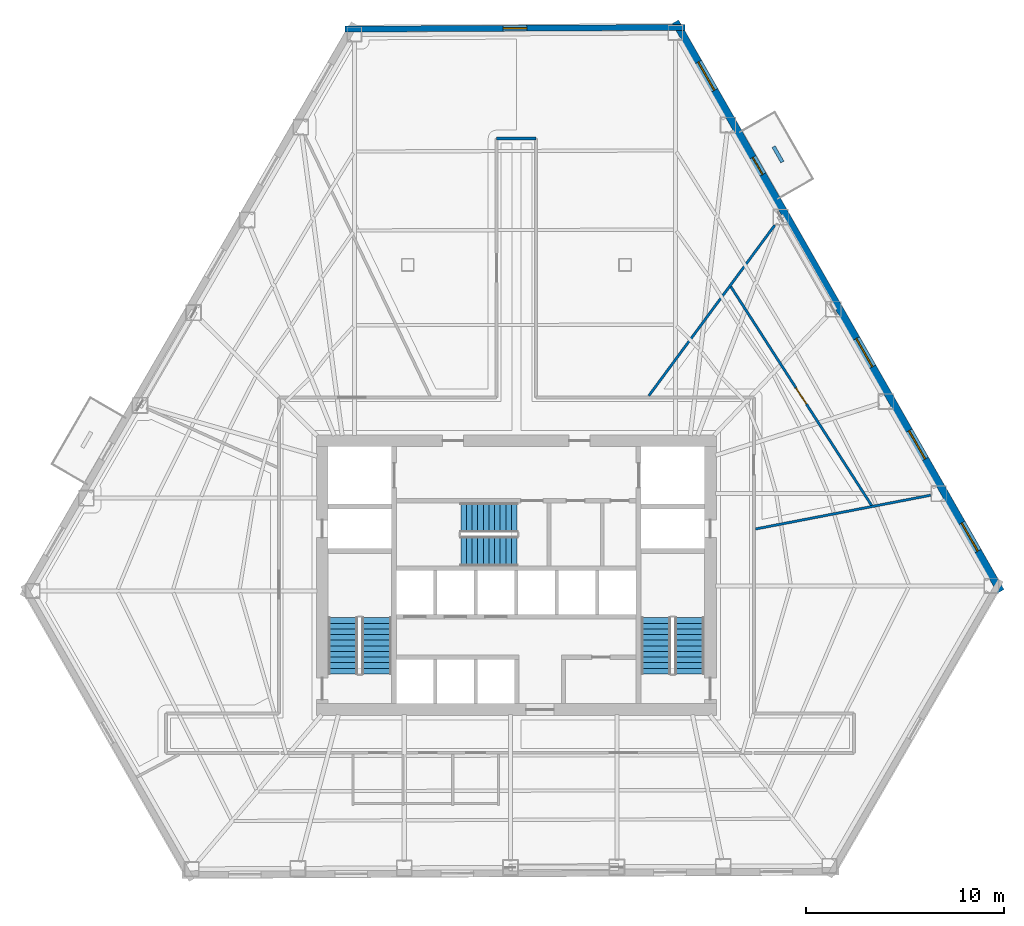
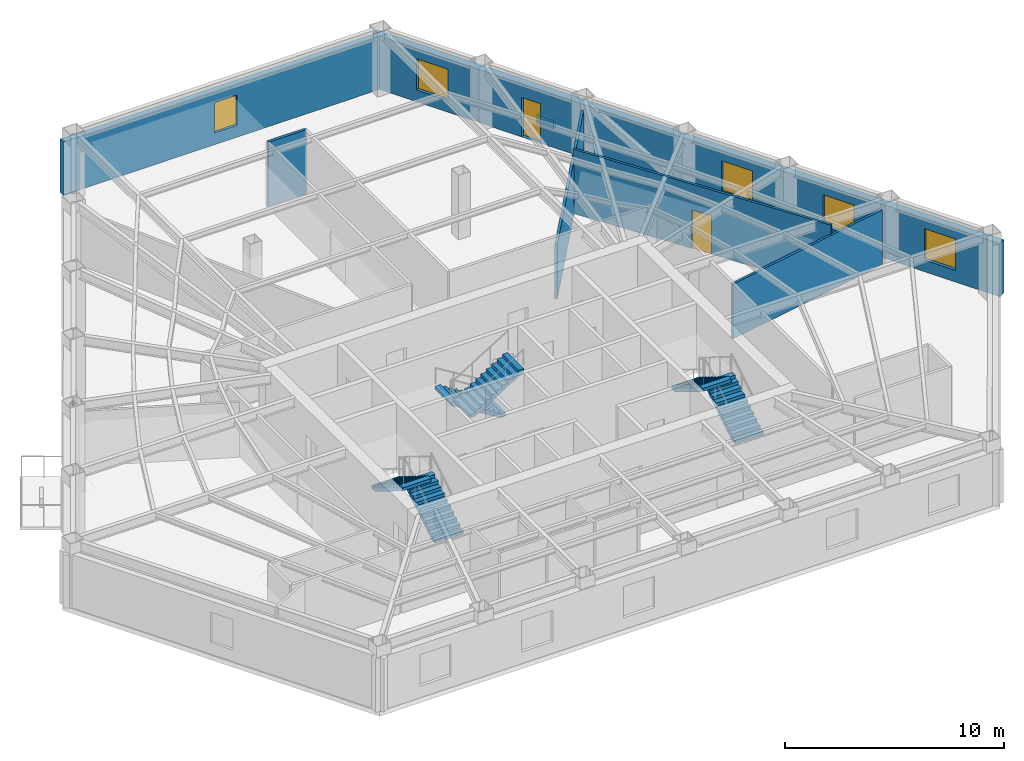
# One storey, part 8 of 11: 7 walls, 6 stair flights, 5 windows, 2 doors, 7 openings, 3 elements without a shape of their own.
"""IFC4 building model written with IfcOpenShell, lengths in metres."""

from ifc_helpers import new_model, si_unit, direction, frame, frame_2d, origin, place, context, subcontext, project, spatial, polyline, rectangle, outline, extrude, material, layer, layer_set, type_object, element, fill, aggregate, save


model = new_model("IFC4")

# Units and contexts
model_context = context("Model", 3, precision=1e-05, world=origin(), true_north=direction((0.0, 1.0)))
body_context = subcontext(model_context, "Body", "Model", "MODEL_VIEW")
ifc_project = project(units=[si_unit("LENGTHUNIT", "METRE"), si_unit("AREAUNIT", "SQUARE_METRE"), si_unit("VOLUMEUNIT", "CUBIC_METRE"), si_unit("PLANEANGLEUNIT", "RADIAN"), si_unit("MASSUNIT", "GRAM", prefix="KILO")], contexts=[model_context])

# Site, building, storey
site_placement = place(None, origin())
site = spatial("IfcSite", under=ifc_project, at=site_placement, CompositionType="ELEMENT")
building_placement = place(site_placement, origin())
building = spatial("IfcBuilding", under=site, at=building_placement, Name="Kavelnor Concourse Tower", CompositionType="ELEMENT")
storey_placement = place(building_placement, frame((0.0, 0.0, 9.85009765625)))
storey = spatial("IfcBuildingStorey", under=building, at=storey_placement, Name="L02", CompositionType="ELEMENT", Elevation=9.85009765625)

# Wall, opening, window
ifc_material_1 = material(Name="Buff ironspot clay face brick masonry", Category="masonry")
ifc_layer_1 = layer(ifc_material_1, 0.300048828125, Name="Buff ironspot clay face brick masonry")
ifc_layer_set_1 = layer_set([ifc_layer_1], Name="Buff ironspot clay face brick masonry")
wall_type_1 = type_object("IfcWallType", Name="WL-EXT-BUFF-BRICK-FOLD-300", PredefinedType="STANDARD", material=ifc_layer_set_1)
wall_1_placement = place(storey_placement, frame((29.326904296875, 43.736083984375, 0.0), z_axis=(0.0, 0.0, 1.0), x_axis=(0.999986871538, 0.005124134289, 0.0)))
wall_1 = element("IfcWall", 1, at=wall_1_placement, inside=storey, type_object=wall_type_1, Name="L02 Exterior Brick Facade Wall E0", PredefinedType="STANDARD", context=body_context, shape_type="SweptSolid", body=[
    extrude(rectangle(XDim=17.199951171875, YDim=0.300048828125, at=frame_2d((8.60009765625, 0.0))), origin(), (0.0, 0.0, 1.0), 2.969970703125),
])
opening_1_placement = place(wall_1_placement, frame((8.0, 0.0, 0.64990234375)))
opening_1 = element("IfcOpeningElement", 2, at=opening_1_placement, cuts=wall_1, Name="Opening W-05", PredefinedType="OPENING", context=body_context, shape_type="SweptSolid", body=[
    extrude(rectangle(XDim=1.199951171875, YDim=1.699951171875, at=frame_2d((0.60009765625, 0.85009765625))), frame((0.0, 0.16015625, 0.0), z_axis=(0.0, -1.0, 0.0), x_axis=(1.0, 0.0, 0.0)), (0.0, 0.0, 1.0), 0.320068359375),
])
ifc_material_2 = material(Name="Double low-E argon insulated glazing", Category="glass")
window_type_1 = type_object("IfcWindowType", Name="WIN-FOLD-1200", PartitioningType="SINGLE_PANEL", PredefinedType="WINDOW", material=ifc_material_2)
window_1_placement = place(opening_1_placement, origin())
window_1 = element("IfcWindow", 3, at=window_1_placement, inside=storey, type_object=window_type_1, Name="L02 Chamfer-Fold Facet Window C0", OverallHeight=1.699951171875, OverallWidth=1.199951171875, PartitioningType="SINGLE_PANEL", PredefinedType="WINDOW", context=body_context, shape_type="SweptSolid", body=[
    extrude(rectangle(XDim=1.199951171875, YDim=1.699951171875, at=frame_2d((0.60009765625, 0.85009765625))), frame((0.0, 0.030029296875, 0.0), z_axis=(0.0, -1.0, 0.0), x_axis=(1.0, 0.0, 0.0)), (0.0, 0.0, 1.0), 0.06005859375),
])
fill(opening_1, window_1)

# Wall, openings, door, windows
ifc_material_3 = material(Name="Red-ochre clay face brick masonry", Category="masonry")
ifc_layer_2 = layer(ifc_material_3, 0.3798828125, Name="Red-ochre clay face brick masonry")
ifc_layer_set_2 = layer_set([ifc_layer_2], Name="Red-ochre clay face brick masonry")
wall_type_2 = type_object("IfcWallType", Name="WL-EXT-RED-BRICK-PIER-380", PredefinedType="STANDARD", material=ifc_layer_set_2)
wall_2_placement = place(storey_placement, frame((46.043701171875, 44.1025390625, 0.0), z_axis=(0.0, 0.0, 1.0), x_axis=(0.496189626602, -0.86821417545, 0.0)))
wall_2 = element("IfcWall", 4, at=wall_2_placement, inside=storey, type_object=wall_type_2, Name="L02 Exterior Brick Facade Wall E5", PredefinedType="STANDARD", context=body_context, shape_type="SweptSolid", body=[
    extrude(rectangle(XDim=33.1962890625, YDim=0.3798828125, at=frame_2d((16.59814453125, 0.0))), origin(), (0.0, 0.0, 1.0), 2.969970703125),
])
opening_2_placement = place(wall_2_placement, frame((7.899169921875, 0.0, 0.0)))
opening_2 = element("IfcOpeningElement", 5, at=opening_2_placement, cuts=wall_2, Name="Opening BD-100", PredefinedType="OPENING", context=body_context, shape_type="SweptSolid", body=[
    extrude(rectangle(XDim=1.0, YDim=2.199951171875, at=frame_2d((0.5, 1.10009765625))), frame((0.0, 0.199951171875, 0.0), z_axis=(0.0, -1.0, 0.0), x_axis=(1.0, 0.0, 0.0)), (0.0, 0.0, 1.0), 0.39990234375),
])
opening_3_placement = place(wall_2_placement, frame((29.208740234375, 0.0, 0.64990234375)))
opening_3 = element("IfcOpeningElement", 6, at=opening_3_placement, cuts=wall_2, Name="Opening W-01", PredefinedType="OPENING", context=body_context, shape_type="SweptSolid", body=[
    extrude(rectangle(XDim=1.64990234375, YDim=1.75, at=frame_2d((0.824951171875, 0.875))), frame((0.0, 0.199951171875, 0.0), z_axis=(0.0, -1.0, 0.0), x_axis=(1.0, 0.0, 0.0)), (0.0, 0.0, 1.0), 0.39990234375),
])
opening_4_placement = place(wall_2_placement, frame((23.83544921875, 0.0, 0.64990234375)))
opening_4 = element("IfcOpeningElement", 7, at=opening_4_placement, cuts=wall_2, Name="Opening W-01", PredefinedType="OPENING", context=body_context, shape_type="SweptSolid", body=[
    extrude(rectangle(XDim=1.64990234375, YDim=1.75, at=frame_2d((0.824951171875, 0.875))), frame((0.0, 0.199951171875, 0.0), z_axis=(0.0, -1.0, 0.0), x_axis=(1.0, 0.0, 0.0)), (0.0, 0.0, 1.0), 0.39990234375),
])
opening_5_placement = place(wall_2_placement, frame((18.4619140625, 0.0, 0.64990234375)))
opening_5 = element("IfcOpeningElement", 8, at=opening_5_placement, cuts=wall_2, Name="Opening W-01", PredefinedType="OPENING", context=body_context, shape_type="SweptSolid", body=[
    extrude(rectangle(XDim=1.64990234375, YDim=1.75, at=frame_2d((0.824951171875, 0.875))), frame((0.0, 0.199951171875, 0.0), z_axis=(0.0, -1.0, 0.0), x_axis=(1.0, 0.0, 0.0)), (0.0, 0.0, 1.0), 0.39990234375),
])
opening_6_placement = place(wall_2_placement, frame((2.341796875, 0.0, 0.64990234375)))
opening_6 = element("IfcOpeningElement", 9, at=opening_6_placement, cuts=wall_2, Name="Opening W-01", PredefinedType="OPENING", context=body_context, shape_type="SweptSolid", body=[
    extrude(rectangle(XDim=1.64990234375, YDim=1.75, at=frame_2d((0.824951171875, 0.875))), frame((0.0, 0.199951171875, 0.0), z_axis=(0.0, -1.0, 0.0), x_axis=(1.0, 0.0, 0.0)), (0.0, 0.0, 1.0), 0.39990234375),
])
ifc_material_4 = material(Name="Anodised aluminium 6063-T6", Category="aluminium")
door_type_1 = type_object("IfcDoorType", Name="DR-BALCONY-EXT-1000", OperationType="NOTDEFINED", PredefinedType="DOOR", material=ifc_material_4)
door_1_placement = place(opening_2_placement, origin())
door_1 = element("IfcDoor", 10, at=door_1_placement, inside=storey, type_object=door_type_1, Name="L02 Tree Balcony 1 Glazed Door", OperationType="SINGLE_SWING_LEFT", OverallHeight=2.199951171875, OverallWidth=1.0, PredefinedType="DOOR", context=body_context, shape_type="SweptSolid", body=[
    extrude(rectangle(XDim=1.0, YDim=2.199951171875, at=frame_2d((0.5, 1.10009765625))), frame((0.0, 0.02490234375, 0.0), z_axis=(0.0, -1.0, 0.0), x_axis=(1.0, 0.0, 0.0)), (0.0, 0.0, 1.0), 0.050048828125),
])
fill(opening_2, door_1)
window_type_2 = type_object("IfcWindowType", Name="WIN-PIER-Z1-1800", PartitioningType="SINGLE_PANEL", PredefinedType="WINDOW", material=ifc_material_2)
window_2_placement = place(opening_3_placement, origin())
window_2 = element("IfcWindow", 11, at=window_2_placement, inside=storey, type_object=window_type_2, Name="L02 Deep-Set Brick Pier Window F2-B0", OverallHeight=1.75, OverallWidth=1.64990234375, PartitioningType="SINGLE_PANEL", PredefinedType="WINDOW", context=body_context, shape_type="SweptSolid", body=[
    extrude(rectangle(XDim=1.64990234375, YDim=1.75, at=frame_2d((0.824951171875, 0.875))), frame((0.0, 0.030029296875, 0.0), z_axis=(0.0, -1.0, 0.0), x_axis=(1.0, 0.0, 0.0)), (0.0, 0.0, 1.0), 0.06005859375),
])
fill(opening_3, window_2)
window_3_placement = place(opening_4_placement, origin())
window_3 = element("IfcWindow", 12, at=window_3_placement, inside=storey, type_object=window_type_2, Name="L02 Deep-Set Brick Pier Window F2-B1", OverallHeight=1.75, OverallWidth=1.64990234375, PartitioningType="SINGLE_PANEL", PredefinedType="WINDOW", context=body_context, shape_type="SweptSolid", body=[
    extrude(rectangle(XDim=1.64990234375, YDim=1.75, at=frame_2d((0.824951171875, 0.875))), frame((0.0, 0.030029296875, 0.0), z_axis=(0.0, -1.0, 0.0), x_axis=(1.0, 0.0, 0.0)), (0.0, 0.0, 1.0), 0.06005859375),
])
fill(opening_4, window_3)
window_4_placement = place(opening_5_placement, origin())
window_4 = element("IfcWindow", 13, at=window_4_placement, inside=storey, type_object=window_type_2, Name="L02 Deep-Set Brick Pier Window F2-B2", OverallHeight=1.75, OverallWidth=1.64990234375, PartitioningType="SINGLE_PANEL", PredefinedType="WINDOW", context=body_context, shape_type="SweptSolid", body=[
    extrude(rectangle(XDim=1.64990234375, YDim=1.75, at=frame_2d((0.824951171875, 0.875))), frame((0.0, 0.030029296875, 0.0), z_axis=(0.0, -1.0, 0.0), x_axis=(1.0, 0.0, 0.0)), (0.0, 0.0, 1.0), 0.06005859375),
])
fill(opening_5, window_4)
window_5_placement = place(opening_6_placement, origin())
window_5 = element("IfcWindow", 14, at=window_5_placement, inside=storey, type_object=window_type_2, Name="L02 Deep-Set Brick Pier Window F2-B5", OverallHeight=1.75, OverallWidth=1.64990234375, PartitioningType="SINGLE_PANEL", PredefinedType="WINDOW", context=body_context, shape_type="SweptSolid", body=[
    extrude(rectangle(XDim=1.64990234375, YDim=1.75, at=frame_2d((0.824951171875, 0.875))), frame((0.0, 0.030029296875, 0.0), z_axis=(0.0, -1.0, 0.0), x_axis=(1.0, 0.0, 0.0)), (0.0, 0.0, 1.0), 0.06005859375),
])
fill(opening_6, window_5)

# Walls
ifc_material_5 = material(Name="Gypsum plasterboard on light-gauge steel studs", Category="steel")
ifc_layer_3 = layer(ifc_material_5, 0.14501953125, Name="Gypsum plasterboard on light-gauge steel studs")
ifc_layer_set_3 = layer_set([ifc_layer_3], Name="Gypsum plasterboard on light-gauge steel studs")
wall_type_3 = type_object("IfcWallType", Name="WL-INT-CORR-145", PredefinedType="PARTITIONING", material=ifc_layer_set_3)
wall_3_placement = place(storey_placement, frame((37.0, 38.199951171875, 0.0), z_axis=(0.0, 0.0, 1.0), x_axis=(1.0, 0.0, 0.0)))
element("IfcWall", 15, at=wall_3_placement, inside=storey, type_object=wall_type_3, Name="L02 Corridor Wall WL-L02-CR-05", PredefinedType="PARTITIONING", context=body_context, shape_type="SweptSolid", body=[
    extrude(rectangle(XDim=2.0, YDim=0.14501953125, at=frame_2d((1.0, 0.0))), origin(), (0.0, 0.0, 1.0), 3.58984375),
])
ifc_layer_4 = layer(ifc_material_5, 0.125, Name="Gypsum plasterboard on light-gauge steel studs")
ifc_layer_set_4 = layer_set([ifc_layer_4], Name="Gypsum plasterboard on light-gauge steel studs")
wall_type_4 = type_object("IfcWallType", Name="WL-INT-SUITE-125", PredefinedType="PARTITIONING", material=ifc_layer_set_4)
wall_4_placement = place(storey_placement, frame((50.1005859375, 18.43505859375, 0.0), z_axis=(0.0, 0.0, 1.0), x_axis=(0.98189060445, 0.189448781713, 0.0)))
element("IfcWall", 16, at=wall_4_placement, inside=storey, type_object=wall_type_4, Name="L02 Radial Suite Partition 01", PredefinedType="PARTITIONING", context=body_context, shape_type="SweptSolid", body=[
    extrude(rectangle(XDim=9.03369140625, YDim=0.125, at=frame_2d((4.516845703125, 0.0))), origin(), (0.0, 0.0, 1.0), 3.056884765625),
])
wall_5_placement = place(storey_placement, frame((44.704833984375, 25.180419921875, 0.0), z_axis=(0.0, 0.0, 1.0), x_axis=(0.593984136355, 0.804476752777, 0.0)))
element("IfcWall", 17, at=wall_5_placement, inside=storey, type_object=wall_type_4, Name="L02 Radial Suite Partition 02", PredefinedType="PARTITIONING", context=body_context, shape_type="SweptSolid", body=[
    extrude(rectangle(XDim=10.73095703125, YDim=0.125, at=frame_2d((5.365478515625, 0.0))), origin(), (0.0, 0.0, 1.0), 3.056884765625),
])

# Wall, opening, door
wall_6_placement = place(storey_placement, frame((56.004638671875, 19.589599609375, 0.0), z_axis=(0.0, 0.0, 1.0), x_axis=(-0.541141843648, 0.840931331949, 0.0)))
wall_6 = element("IfcWall", 18, at=wall_6_placement, inside=storey, type_object=wall_type_4, Name="L02 Suite Subdivision Partition 01", PredefinedType="PARTITIONING", context=body_context, shape_type="SweptSolid", body=[
    extrude(rectangle(XDim=13.260498046875, YDim=0.125, at=frame_2d((6.63037109375, 0.0))), origin(), (0.0, 0.0, 1.0), 3.58984375),
])
opening_7_placement = place(wall_6_placement, frame((6.14111328125, 0.0, 0.0)))
opening_7 = element("IfcOpeningElement", 19, at=opening_7_placement, cuts=wall_6, Name="Opening OD-098", PredefinedType="OPENING", context=body_context, shape_type="SweptSolid", body=[
    extrude(rectangle(XDim=0.97998046875, YDim=2.14990234375, at=frame_2d((0.489990234375, 1.074951171875))), frame((0.0, 0.072509765625, 0.0), z_axis=(0.0, -1.0, 0.0), x_axis=(1.0, 0.0, 0.0)), (0.0, 0.0, 1.0), 0.14501953125),
])
ifc_material_6 = material(Name="Solid-core hardwood timber", Category="wood")
door_type_2 = type_object("IfcDoorType", Name="DR-OFFICE-980", OperationType="NOTDEFINED", PredefinedType="DOOR", material=ifc_material_6)
door_2_placement = place(opening_7_placement, origin())
door_2 = element("IfcDoor", 20, at=door_2_placement, inside=storey, type_object=door_type_2, Name="L02 Staff Breakout Pantry 02 Door", OperationType="SINGLE_SWING_LEFT", OverallHeight=2.14990234375, OverallWidth=0.97998046875, PredefinedType="DOOR", context=body_context, shape_type="SweptSolid", body=[
    extrude(rectangle(XDim=0.97998046875, YDim=2.14990234375, at=frame_2d((0.489990234375, 1.074951171875))), frame((0.0, 0.02490234375, 0.0), z_axis=(0.0, -1.0, 0.0), x_axis=(1.0, 0.0, 0.0)), (0.0, 0.0, 1.0), 0.050048828125),
])
fill(opening_7, door_2)

# Wall
ifc_material_7 = material(Name="Architectural precast planter concrete C40/50", Category="concrete")
ifc_layer_5 = layer(ifc_material_7, 0.18994140625, Name="Architectural precast planter concrete C40/50")
ifc_layer_set_5 = layer_set([ifc_layer_5], Name="Architectural precast planter concrete C40/50")
wall_type_5 = type_object("IfcWallType", Name="WL-PLANTER-KERB-190", PredefinedType="USERDEFINED", material=ifc_layer_set_5)
wall_7_placement = place(storey_placement, frame((51.46337890625, 37.007568359375, 0.0), z_axis=(0.0, 0.0, 1.0), x_axis=(-0.496109726922, 0.868259833721, 0.0)))
element("IfcWall", 21, at=wall_7_placement, inside=storey, type_object=wall_type_5, Name="L02 Tree Balcony 1 Tree Planter Kerb", ObjectType="PLANTER", PredefinedType="USERDEFINED", context=body_context, shape_type="SweptSolid", body=[
    extrude(rectangle(XDim=0.900146484375, YDim=0.18994140625, at=frame_2d((0.4501953125, 0.0))), origin(), (0.0, 0.0, 1.0), 0.5),
])

# Stair, stair flights
ifc_material_8 = material(Name="Concrete C40/50", Category="concrete")
stair_type = type_object("IfcStairType", Name="STR-CORE-1500", PredefinedType="HALF_TURN_STAIR", material=ifc_material_8)
stair_1_placement = place(storey_placement, origin())
stair_1 = element("IfcStair", 22, at=stair_1_placement, inside=storey, type_object=stair_type, Name="L02 ST1", PredefinedType="HALF_TURN_STAIR")
stair_flight_type = type_object("IfcStairFlightType", Name="STR-FLIGHT-1500", PredefinedType="STRAIGHT", material=ifc_material_8)
stair_flight_1_placement = place(storey_placement, frame((30.929931640625, 11.10009765625, 0.0), z_axis=(0.0, 0.0, 1.0), x_axis=(0.0, 1.0, 0.0)))
stair_flight_1 = element("IfcStairFlight", 23, at=stair_flight_1_placement, type_object=stair_flight_type, Name="ST1 flight 1", NumberOfRisers=11, NumberOfTreads=10, PredefinedType="STRAIGHT", RiserHeight=0.175, TreadLength=0.285, context=body_context, shape_type="SweptSolid", body=[
    extrude(outline(polyline([(0.0, 0.0), (0.0, 0.175048828125), (0.284912109375, 0.175048828125), (0.284912109375, 0.35009765625), (0.570068359375, 0.35009765625), (0.570068359375, 0.52490234375), (0.85498046875, 0.52490234375), (0.85498046875, 0.699951171875), (1.139892578125, 0.699951171875), (1.139892578125, 0.875), (1.425048828125, 0.875), (1.425048828125, 1.050048828125), (1.7099609375, 1.050048828125), (1.7099609375, 1.22509765625), (1.9951171875, 1.22509765625), (1.9951171875, 1.39990234375), (2.280029296875, 1.39990234375), (2.280029296875, 1.574951171875), (2.56494140625, 1.574951171875), (2.56494140625, 1.75), (2.85009765625, 1.75), (2.85009765625, 1.925048828125), (2.85009765625, 1.573974609375), (0.286376953125, 0.0), (0.0, 0.0)])), frame((0.0, 0.75, 0.0), z_axis=(0.0, -1.0, 0.0), x_axis=(1.0, 0.0, 0.0)), (0.0, 0.0, 1.0), 1.5),
])
stair_flight_2_placement = place(storey_placement, frame((29.22998046875, 13.949951171875, 1.9248046875), z_axis=(0.0, 0.0, 1.0), x_axis=(0.0, -1.0, 0.0)))
stair_flight_2 = element("IfcStairFlight", 24, at=stair_flight_2_placement, type_object=stair_flight_type, Name="ST1 flight 2", NumberOfRisers=11, NumberOfTreads=10, PredefinedType="STRAIGHT", RiserHeight=0.175, TreadLength=0.285, context=body_context, shape_type="SweptSolid", body=[
    extrude(outline(polyline([(0.0, 0.0), (0.0, 0.175048828125), (0.284912109375, 0.175048828125), (0.284912109375, 0.35009765625), (0.570068359375, 0.35009765625), (0.570068359375, 0.52490234375), (0.85498046875, 0.52490234375), (0.85498046875, 0.699951171875), (1.139892578125, 0.699951171875), (1.139892578125, 0.875), (1.425048828125, 0.875), (1.425048828125, 1.050048828125), (1.7099609375, 1.050048828125), (1.7099609375, 1.22509765625), (1.9951171875, 1.22509765625), (1.9951171875, 1.39990234375), (2.280029296875, 1.39990234375), (2.280029296875, 1.574951171875), (2.56494140625, 1.574951171875), (2.56494140625, 1.75), (2.85009765625, 1.75), (2.85009765625, 1.925048828125), (2.85009765625, 1.573974609375), (0.286376953125, 0.0), (0.0, 0.0)])), frame((0.0, 0.75, 0.0), z_axis=(0.0, -1.0, 0.0), x_axis=(1.0, 0.0, 0.0)), (0.0, 0.0, 1.0), 1.5),
])
aggregate(stair_1, [stair_flight_1, stair_flight_2])

stair_2_placement = place(storey_placement, origin())
stair_2 = element("IfcStair", 25, at=stair_2_placement, inside=storey, type_object=stair_type, Name="L02 ST2", PredefinedType="HALF_TURN_STAIR")
stair_flight_3_placement = place(storey_placement, frame((46.77001953125, 11.10009765625, 0.0), z_axis=(0.0, 0.0, 1.0), x_axis=(0.0, 1.0, 0.0)))
stair_flight_3 = element("IfcStairFlight", 26, at=stair_flight_3_placement, type_object=stair_flight_type, Name="ST2 flight 1", NumberOfRisers=11, NumberOfTreads=10, PredefinedType="STRAIGHT", RiserHeight=0.175, TreadLength=0.285, context=body_context, shape_type="SweptSolid", body=[
    extrude(outline(polyline([(0.0, 0.0), (0.0, 0.175048828125), (0.284912109375, 0.175048828125), (0.284912109375, 0.35009765625), (0.570068359375, 0.35009765625), (0.570068359375, 0.52490234375), (0.85498046875, 0.52490234375), (0.85498046875, 0.699951171875), (1.139892578125, 0.699951171875), (1.139892578125, 0.875), (1.425048828125, 0.875), (1.425048828125, 1.050048828125), (1.7099609375, 1.050048828125), (1.7099609375, 1.22509765625), (1.9951171875, 1.22509765625), (1.9951171875, 1.39990234375), (2.280029296875, 1.39990234375), (2.280029296875, 1.574951171875), (2.56494140625, 1.574951171875), (2.56494140625, 1.75), (2.85009765625, 1.75), (2.85009765625, 1.925048828125), (2.85009765625, 1.573974609375), (0.286376953125, 0.0), (0.0, 0.0)])), frame((0.0, 0.75, 0.0), z_axis=(0.0, -1.0, 0.0), x_axis=(1.0, 0.0, 0.0)), (0.0, 0.0, 1.0), 1.5),
])
stair_flight_4_placement = place(storey_placement, frame((45.070068359375, 13.949951171875, 1.9248046875), z_axis=(0.0, 0.0, 1.0), x_axis=(0.0, -1.0, 0.0)))
stair_flight_4 = element("IfcStairFlight", 27, at=stair_flight_4_placement, type_object=stair_flight_type, Name="ST2 flight 2", NumberOfRisers=11, NumberOfTreads=10, PredefinedType="STRAIGHT", RiserHeight=0.175, TreadLength=0.285, context=body_context, shape_type="SweptSolid", body=[
    extrude(outline(polyline([(0.0, 0.0), (0.0, 0.175048828125), (0.284912109375, 0.175048828125), (0.284912109375, 0.35009765625), (0.570068359375, 0.35009765625), (0.570068359375, 0.52490234375), (0.85498046875, 0.52490234375), (0.85498046875, 0.699951171875), (1.139892578125, 0.699951171875), (1.139892578125, 0.875), (1.425048828125, 0.875), (1.425048828125, 1.050048828125), (1.7099609375, 1.050048828125), (1.7099609375, 1.22509765625), (1.9951171875, 1.22509765625), (1.9951171875, 1.39990234375), (2.280029296875, 1.39990234375), (2.280029296875, 1.574951171875), (2.56494140625, 1.574951171875), (2.56494140625, 1.75), (2.85009765625, 1.75), (2.85009765625, 1.925048828125), (2.85009765625, 1.573974609375), (0.286376953125, 0.0), (0.0, 0.0)])), frame((0.0, 0.75, 0.0), z_axis=(0.0, -1.0, 0.0), x_axis=(1.0, 0.0, 0.0)), (0.0, 0.0, 1.0), 1.5),
])
aggregate(stair_2, [stair_flight_3, stair_flight_4])

stair_3_placement = place(storey_placement, origin())
stair_3 = element("IfcStair", 28, at=stair_3_placement, inside=storey, type_object=stair_type, Name="L02 ST3", PredefinedType="HALF_TURN_STAIR")
stair_flight_5_placement = place(storey_placement, frame((38.0400390625, 19.010009765625, 0.0), z_axis=(0.0, 0.0, 1.0), x_axis=(-1.0, 0.0, 0.0)))
stair_flight_5 = element("IfcStairFlight", 29, at=stair_flight_5_placement, type_object=stair_flight_type, Name="ST3 flight 1", NumberOfRisers=11, NumberOfTreads=10, PredefinedType="STRAIGHT", RiserHeight=0.175, TreadLength=0.285, context=body_context, shape_type="SweptSolid", body=[
    extrude(outline(polyline([(0.0, 0.0), (0.0, 0.175048828125), (0.284912109375, 0.175048828125), (0.284912109375, 0.35009765625), (0.570068359375, 0.35009765625), (0.570068359375, 0.52490234375), (0.85498046875, 0.52490234375), (0.85498046875, 0.699951171875), (1.139892578125, 0.699951171875), (1.139892578125, 0.875), (1.425048828125, 0.875), (1.425048828125, 1.050048828125), (1.7099609375, 1.050048828125), (1.7099609375, 1.22509765625), (1.9951171875, 1.22509765625), (1.9951171875, 1.39990234375), (2.280029296875, 1.39990234375), (2.280029296875, 1.574951171875), (2.56494140625, 1.574951171875), (2.56494140625, 1.75), (2.85009765625, 1.75), (2.85009765625, 1.925048828125), (2.85009765625, 1.573974609375), (0.286376953125, 0.0), (0.0, 0.0)])), frame((0.0, 0.75, 0.0), z_axis=(0.0, -1.0, 0.0), x_axis=(1.0, 0.0, 0.0)), (0.0, 0.0, 1.0), 1.5),
])
stair_flight_6_placement = place(storey_placement, frame((35.18994140625, 17.31005859375, 1.9248046875), z_axis=(0.0, 0.0, 1.0), x_axis=(1.0, 0.0, 0.0)))
stair_flight_6 = element("IfcStairFlight", 30, at=stair_flight_6_placement, type_object=stair_flight_type, Name="ST3 flight 2", NumberOfRisers=11, NumberOfTreads=10, PredefinedType="STRAIGHT", RiserHeight=0.175, TreadLength=0.285, context=body_context, shape_type="SweptSolid", body=[
    extrude(outline(polyline([(0.0, 0.0), (0.0, 0.175048828125), (0.284912109375, 0.175048828125), (0.284912109375, 0.35009765625), (0.570068359375, 0.35009765625), (0.570068359375, 0.52490234375), (0.85498046875, 0.52490234375), (0.85498046875, 0.699951171875), (1.139892578125, 0.699951171875), (1.139892578125, 0.875), (1.425048828125, 0.875), (1.425048828125, 1.050048828125), (1.7099609375, 1.050048828125), (1.7099609375, 1.22509765625), (1.9951171875, 1.22509765625), (1.9951171875, 1.39990234375), (2.280029296875, 1.39990234375), (2.280029296875, 1.574951171875), (2.56494140625, 1.574951171875), (2.56494140625, 1.75), (2.85009765625, 1.75), (2.85009765625, 1.925048828125), (2.85009765625, 1.573974609375), (0.286376953125, 0.0), (0.0, 0.0)])), frame((0.0, 0.75, 0.0), z_axis=(0.0, -1.0, 0.0), x_axis=(1.0, 0.0, 0.0)), (0.0, 0.0, 1.0), 1.5),
])
aggregate(stair_3, [stair_flight_5, stair_flight_6])

save(model, "model.ifc")
